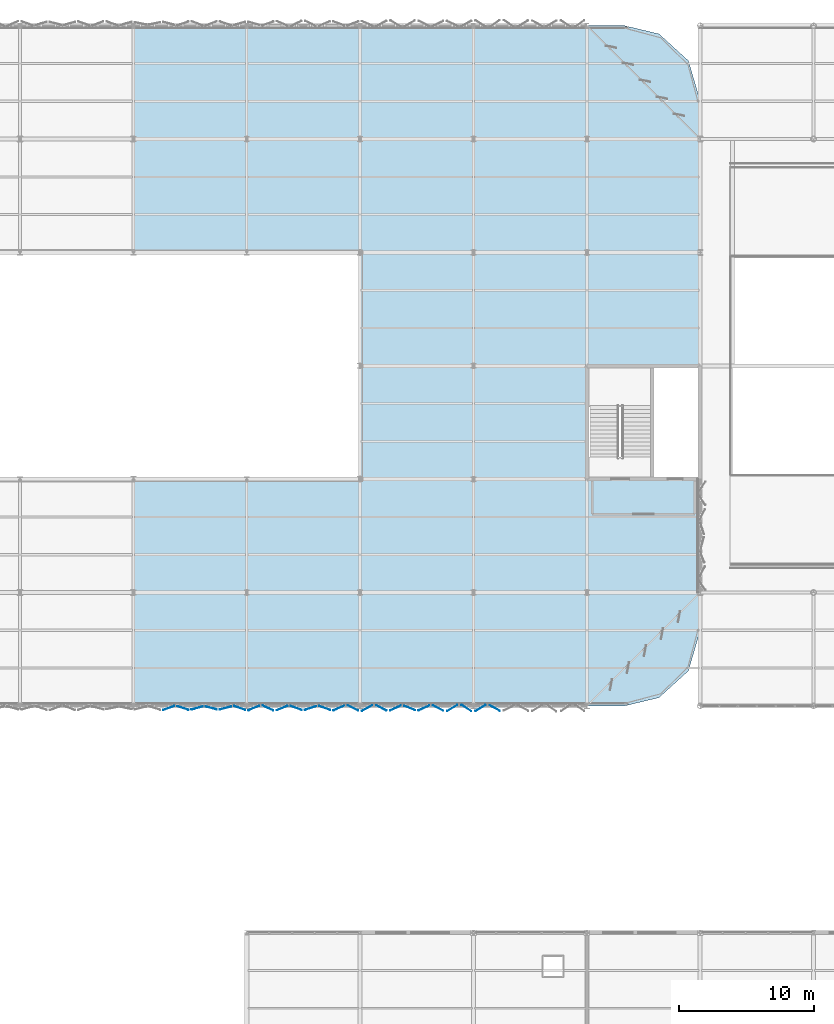
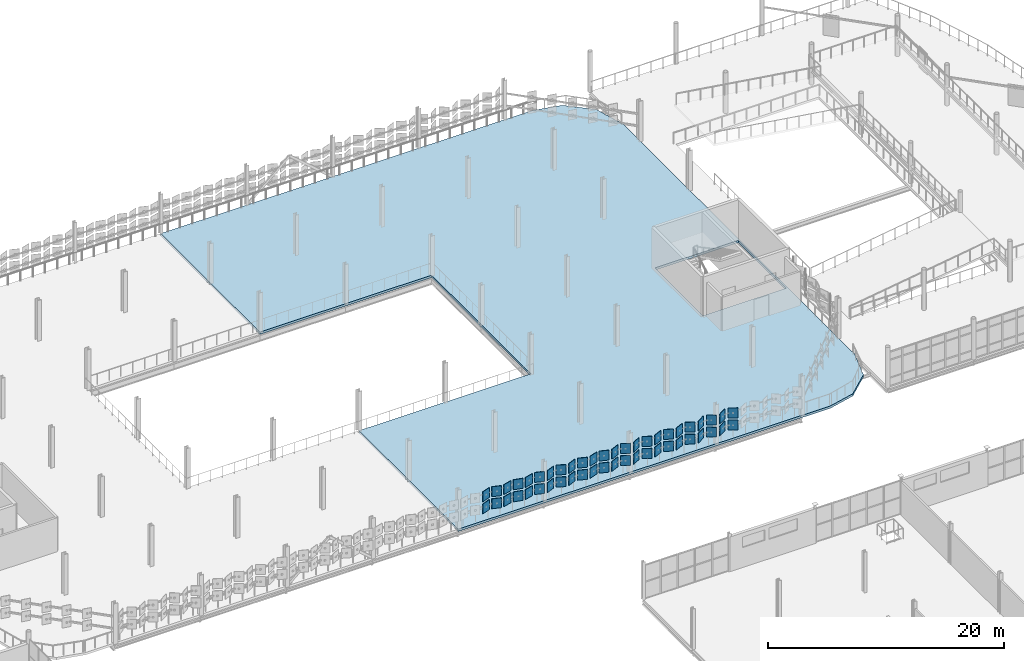
# One storey, part 122 of 163: 48 plates, 1 slab.
"""IFC4 building model written with IfcOpenShell, lengths in metres."""

from ifc_helpers import new_model, si_unit, direction, frame, origin, origin_2d, place, context, subcontext, project, spatial, polyline, rectangle, outline, extrude, material, layer, layer_set, type_object, element, save


model = new_model("IFC4")

# Units and contexts
model_context = context("Model", 3, precision=1e-05, world=origin(), true_north=direction((0.0, 1.0)))
body_context = subcontext(model_context, "Body", "Model", "MODEL_VIEW")
ifc_project = project(units=[si_unit("LENGTHUNIT", "METRE"), si_unit("AREAUNIT", "SQUARE_METRE"), si_unit("VOLUMEUNIT", "CUBIC_METRE"), si_unit("PLANEANGLEUNIT", "RADIAN"), si_unit("MASSUNIT", "GRAM", prefix="KILO")], contexts=[model_context])

# Site, building, storey
site_placement = place(None, origin())
site = spatial("IfcSite", under=ifc_project, at=site_placement, CompositionType="ELEMENT")
building_placement = place(site_placement, origin())
building = spatial("IfcBuilding", under=site, at=building_placement, Name="Qalvenar Corner Mobility Hub", CompositionType="ELEMENT")
storey_placement = place(building_placement, frame((0.0, 0.0, 4.800048828125)))
storey = spatial("IfcBuildingStorey", under=building, at=storey_placement, Name="L01", CompositionType="ELEMENT", Elevation=4.800048828125)

# Plates
ifc_material_1 = material(Name="Terracotta-Ochre Anodised Aluminium", Category="masonry")
ifc_layer_1 = layer(ifc_material_1, 0.033935546875)
ifc_layer_set_1 = layer_set([ifc_layer_1], Name="Terracotta-Ochre Anodised Aluminium")
plate_type = type_object("IfcPlateType", Name="PLT-XC-L1-STD", PredefinedType="SHEET", material=ifc_layer_set_1)
for number, where, z_axis, x_axis, name in (
    (1, (103.425048828125, 67.0400390625, 0.989990234375), (0.0, 0.0, 1.0), (0.94099895347, 0.338409470269, 0.0), "Hinged Facade Panel FP-L01-0069"),
    (2, (103.425048828125, 67.0400390625, 2.239990234375), (0.0, 0.0, 1.0), (0.94099895347, 0.338409470269, 0.0), "Hinged Facade Panel FP-L01-0070"),
    (3, (104.47509765625, 67.0400390625, 0.989990234375), (0.0, 0.0, 1.0), (0.949589753555, -0.313495294931, 0.0), "Hinged Facade Panel FP-L01-0071"),
    (4, (104.47509765625, 67.0400390625, 2.239990234375), (0.0, 0.0, 1.0), (0.949589753555, -0.313495294931, 0.0), "Hinged Facade Panel FP-L01-0072"),
    (5, (105.52490234375, 67.0400390625, 0.989990234375), (0.0, 0.0, 1.0), (0.964049041264, 0.265724379832, 0.0), "Hinged Facade Panel FP-L01-0073"),
    (6, (105.52490234375, 67.0400390625, 2.239990234375), (0.0, 0.0, 1.0), (0.964049041264, 0.265724379832, 0.0), "Hinged Facade Panel FP-L01-0074"),
    (7, (106.574951171875, 67.0400390625, 0.989990234375), (0.0, 0.0, 1.0), (0.970925750445, -0.239380841177, 0.0), "Hinged Facade Panel FP-L01-0075"),
    (8, (106.574951171875, 67.0400390625, 2.239990234375), (0.0, 0.0, 1.0), (0.970925750445, -0.239380841177, 0.0), "Hinged Facade Panel FP-L01-0076"),
    (9, (107.625, 67.0400390625, 0.989990234375), (0.0, 0.0, 1.0), (0.964833216741, 0.262862823299, 0.0), "Hinged Facade Panel FP-L01-0077"),
    (10, (107.625, 67.0400390625, 2.239990234375), (0.0, 0.0, 1.0), (0.964833216741, 0.262862823299, 0.0), "Hinged Facade Panel FP-L01-0078"),
    (11, (108.675048828125, 67.0400390625, 0.989990234375), (0.0, 0.0, 1.0), (0.945518575599, -0.325568154457, 0.0), "Hinged Facade Panel FP-L01-0079"),
    (12, (108.675048828125, 67.0400390625, 2.239990234375), (0.0, 0.0, 1.0), (0.945518575599, -0.325568154457, 0.0), "Hinged Facade Panel FP-L01-0080"),
    (13, (109.72509765625, 67.0400390625, 0.989990234375), (0.0, 0.0, 1.0), (0.92213346383, 0.386871910179, 0.0), "Hinged Facade Panel FP-L01-0081"),
    (14, (109.72509765625, 67.0400390625, 2.239990234375), (0.0, 0.0, 1.0), (0.92213346383, 0.386871910179, 0.0), "Hinged Facade Panel FP-L01-0082"),
    (15, (110.77490234375, 67.0400390625, 0.989990234375), (0.0, 0.0, 1.0), (0.912548886365, -0.408967639299, 0.0), "Hinged Facade Panel FP-L01-0083"),
    (16, (110.77490234375, 67.0400390625, 2.239990234375), (0.0, 0.0, 1.0), (0.912548886365, -0.408967639299, 0.0), "Hinged Facade Panel FP-L01-0084"),
    (17, (111.824951171875, 67.0400390625, 0.989990234375), (0.0, 0.0, 1.0), (0.923344305239, 0.383973038094, 0.0), "Hinged Facade Panel FP-L01-0085"),
    (18, (111.824951171875, 67.0400390625, 2.239990234375), (0.0, 0.0, 1.0), (0.923344305239, 0.383973038094, 0.0), "Hinged Facade Panel FP-L01-0086"),
    (19, (112.875, 67.0400390625, 0.989990234375), (0.0, 0.0, 1.0), (0.941293913101, -0.337588165017, 0.0), "Hinged Facade Panel FP-L01-0087"),
    (20, (112.875, 67.0400390625, 2.239990234375), (0.0, 0.0, 1.0), (0.941293913101, -0.337588165017, 0.0), "Hinged Facade Panel FP-L01-0088"),
    (21, (113.925048828125, 67.0400390625, 0.989990234375), (0.0, 0.0, 1.0), (0.949917524329, 0.312500715155, 0.0), "Hinged Facade Panel FP-L01-0089"),
    (22, (113.925048828125, 67.0400390625, 2.239990234375), (0.0, 0.0, 1.0), (0.949917524329, 0.312500715155, 0.0), "Hinged Facade Panel FP-L01-0090"),
    (23, (114.97509765625, 67.0400390625, 0.989990234375), (0.0, 0.0, 1.0), (0.941705652248, -0.336437905896, 0.0), "Hinged Facade Panel FP-L01-0091"),
    (24, (114.97509765625, 67.0400390625, 2.239990234375), (0.0, 0.0, 1.0), (0.941705652248, -0.336437905896, 0.0), "Hinged Facade Panel FP-L01-0092"),
    (25, (116.02490234375, 67.0400390625, 0.989990234375), (0.0, 0.0, 1.0), (0.917407699357, 0.397948631308, 0.0), "Hinged Facade Panel FP-L01-0093"),
    (26, (116.02490234375, 67.0400390625, 2.239990234375), (0.0, 0.0, 1.0), (0.917407699357, 0.397948631308, 0.0), "Hinged Facade Panel FP-L01-0094"),
    (27, (117.074951171875, 67.0400390625, 0.989990234375), (0.0, 0.0, 1.0), (0.889575876378, -0.456787434334, 0.0), "Hinged Facade Panel FP-L01-0095"),
    (28, (117.074951171875, 67.0400390625, 2.239990234375), (0.0, 0.0, 1.0), (0.889575876378, -0.456787434334, 0.0), "Hinged Facade Panel FP-L01-0096"),
    (29, (118.125, 67.0400390625, 0.989990234375), (0.0, 0.0, 1.0), (0.878817112662, 0.47715876026, 0.0), "Hinged Facade Panel FP-L01-0097"),
    (30, (118.125, 67.0400390625, 2.239990234375), (0.0, 0.0, 1.0), (0.878817112662, 0.47715876026, 0.0), "Hinged Facade Panel FP-L01-0098"),
    (31, (119.175048828125, 67.0400390625, 0.989990234375), (0.0, 0.0, 1.0), (0.891797529605, -0.452434709312, 0.0), "Hinged Facade Panel FP-L01-0099"),
    (32, (119.175048828125, 67.0400390625, 2.239990234375), (0.0, 0.0, 1.0), (0.891797529605, -0.452434709312, 0.0), "Hinged Facade Panel FP-L01-0100"),
    (33, (120.22509765625, 67.0400390625, 0.989990234375), (0.0, 0.0, 1.0), (0.913261279296, 0.407374318949, 0.0), "Hinged Facade Panel FP-L01-0101"),
    (34, (120.22509765625, 67.0400390625, 2.239990234375), (0.0, 0.0, 1.0), (0.913261279296, 0.407374318949, 0.0), "Hinged Facade Panel FP-L01-0102"),
    (35, (121.27490234375, 67.0400390625, 0.989990234375), (0.0, 0.0, 1.0), (0.923344305239, -0.383973038094, 0.0), "Hinged Facade Panel FP-L01-0103"),
    (36, (121.27490234375, 67.0400390625, 2.239990234375), (0.0, 0.0, 1.0), (0.923344305239, -0.383973038094, 0.0), "Hinged Facade Panel FP-L01-0104"),
    (37, (122.324951171875, 67.0400390625, 0.989990234375), (0.0, 0.0, 1.0), (0.912976655837, 0.408011796273, 0.0), "Hinged Facade Panel FP-L01-0105"),
    (38, (122.324951171875, 67.0400390625, 2.239990234375), (0.0, 0.0, 1.0), (0.912976655837, 0.408011796273, 0.0), "Hinged Facade Panel FP-L01-0106"),
    (39, (123.375, 67.0400390625, 0.989990234375), (0.0, 0.0, 1.0), (0.883847285787, -0.467775560934, 0.0), "Hinged Facade Panel FP-L01-0107"),
    (40, (123.375, 67.0400390625, 2.239990234375), (0.0, 0.0, 1.0), (0.883847285787, -0.467775560934, 0.0), "Hinged Facade Panel FP-L01-0108"),
    (41, (124.425048828125, 67.0400390625, 0.989990234375), (0.0, 0.0, 1.0), (0.851818373963, 0.523837243597, 0.0), "Hinged Facade Panel FP-L01-0109"),
    (42, (124.425048828125, 67.0400390625, 2.239990234375), (0.0, 0.0, 1.0), (0.851818373963, 0.523837243597, 0.0), "Hinged Facade Panel FP-L01-0110"),
    (43, (125.47509765625, 67.0400390625, 0.989990234375), (0.0, 0.0, 1.0), (0.839998867196, -0.542588152386, 0.0), "Hinged Facade Panel FP-L01-0111"),
    (44, (125.47509765625, 67.0400390625, 2.239990234375), (0.0, 0.0, 1.0), (0.839998867196, -0.542588152386, 0.0), "Hinged Facade Panel FP-L01-0112"),
    (45, (126.52490234375, 67.0400390625, 0.989990234375), (0.0, 0.0, 1.0), (0.855273834364, 0.518176290709, 0.0), "Hinged Facade Panel FP-L01-0113"),
    (46, (126.52490234375, 67.0400390625, 2.239990234375), (0.0, 0.0, 1.0), (0.855273834364, 0.518176290709, 0.0), "Hinged Facade Panel FP-L01-0114"),
    (47, (127.574951171875, 67.0400390625, 0.989990234375), (0.0, 0.0, 1.0), (0.879980406813, -0.475009982659, 0.0), "Hinged Facade Panel FP-L01-0115"),
    (48, (127.574951171875, 67.0400390625, 2.239990234375), (0.0, 0.0, 1.0), (0.879980406813, -0.475009982659, 0.0), "Hinged Facade Panel FP-L01-0116"),
):
    element("IfcPlate", number, at=place(storey_placement, frame(where, z_axis=z_axis, x_axis=x_axis)), inside=storey, type_object=plate_type, Name=name, PredefinedType="SHEET", context=body_context, shape_type="SweptSolid", body=[
        extrude(rectangle(XDim=0.860107421875, YDim=0.033935546875, at=origin_2d()), origin(), (0.0, 0.0, 1.0), 1.02001953125),
    ])

# Slab
ifc_material_2 = material(Name="Concrete C35/45", Category="concrete")
ifc_layer_2 = layer(ifc_material_2, 0.239990234375)
ifc_layer_set_2 = layer_set([ifc_layer_2], Name="Concrete C35/45")
slab_type = type_object("IfcSlabType", Name="SLB-COMP200", PredefinedType="FLOOR", material=ifc_layer_set_2)
slab_placement = place(storey_placement, frame((0.0, 0.0, -0.239990234375)))
element("IfcSlab", 49, at=slab_placement, inside=storey, type_object=slab_type, Name="Composite Deck V4-E-L01", PredefinedType="FLOOR", context=body_context, shape_type="SweptSolid", body=[
    extrude(outline(polyline([(100.800048828125, 67.199951171875), (137.199951171875, 67.199951171875), (139.7421875, 67.810302734375), (141.92822265625, 69.79931640625), (142.800048828125, 72.800048828125), (142.800048828125, 112.0), (141.92822265625, 115.00048828125), (139.7421875, 116.989501953125), (137.199951171875, 117.60009765625), (100.800048828125, 117.60009765625), (100.800048828125, 100.800048828125), (117.60009765625, 100.800048828125), (117.60009765625, 84.0), (100.800048828125, 84.0), (100.800048828125, 67.199951171875)]), holes=[polyline([(134.530029296875, 84.1298828125), (142.669921875, 84.1298828125), (142.669921875, 92.27001953125), (134.530029296875, 92.27001953125), (134.530029296875, 84.1298828125)])]), origin(), (0.0, 0.0, 1.0), 0.239990234375),
])

save(model, "model.ifc")
